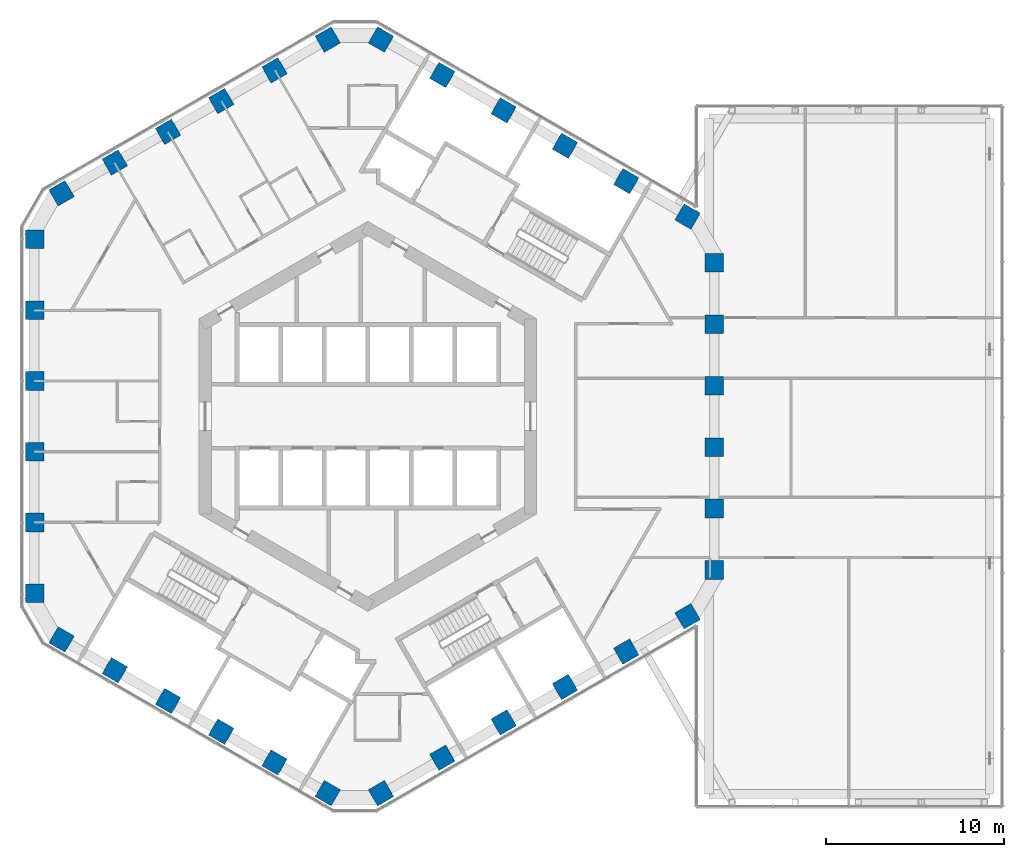
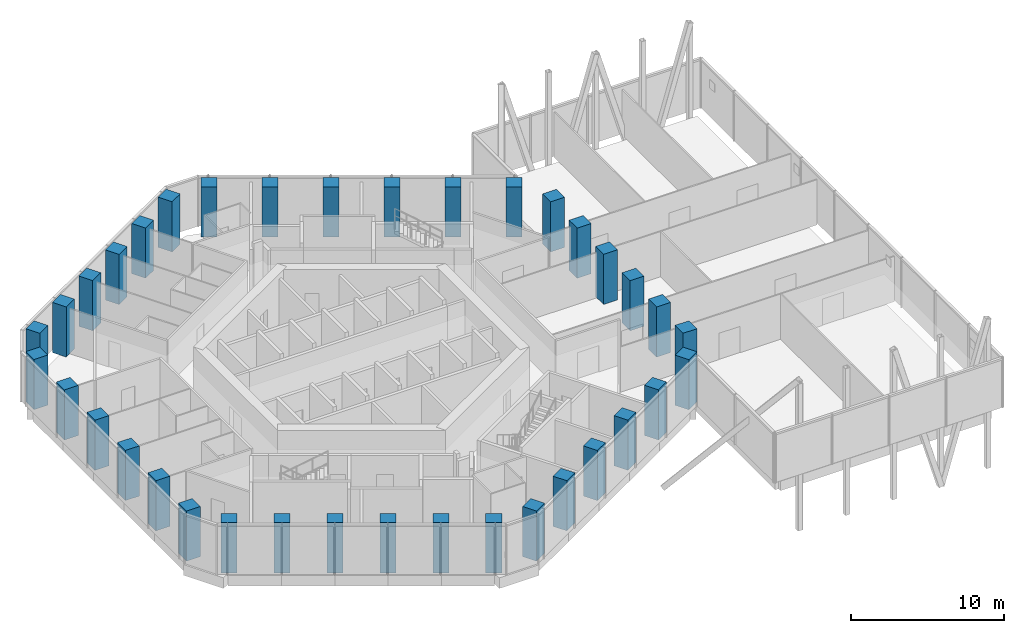
# One storey, part 1 of 24: 36 columns.
"""IFC4 building model written with IfcOpenShell, lengths in metres."""

from ifc_helpers import new_model, si_unit, direction, frame, origin, origin_2d, place, context, subcontext, project, spatial, rectangle, extrude, material, material_profile, profile_set, type_object, element, save


model = new_model("IFC4")

# Units and contexts
model_context = context("Model", 3, precision=1e-05, world=origin(), true_north=direction((0.0, 1.0)))
body_context = subcontext(model_context, "Body", "Model", "MODEL_VIEW")
ifc_project = project(units=[si_unit("LENGTHUNIT", "METRE"), si_unit("AREAUNIT", "SQUARE_METRE"), si_unit("VOLUMEUNIT", "CUBIC_METRE"), si_unit("PLANEANGLEUNIT", "RADIAN"), si_unit("MASSUNIT", "GRAM", prefix="KILO")], contexts=[model_context])

# Site, building, storey
site_placement = place(None, origin())
site = spatial("IfcSite", under=ifc_project, at=site_placement, CompositionType="ELEMENT")
building_placement = place(site_placement, origin())
building = spatial("IfcBuilding", under=site, at=building_placement, Name="Ayvan Gate Tower", CompositionType="ELEMENT")
storey_placement = place(building_placement, frame((0.0, 0.0, 124.5)))
storey = spatial("IfcBuildingStorey", under=building, at=storey_placement, Name="L33", CompositionType="ELEMENT", Elevation=124.5)

# Columns
ifc_material = material(Name="Concrete C60/75", Category="concrete")
ifc_material_profile = material_profile(ifc_material, rectangle(XDim=1.050048828125, YDim=1.050048828125, at=origin_2d()), Name="RC 1050x1050")
ifc_profile_set = profile_set([ifc_material_profile], Name="Concrete C60/75")
column_type = type_object("IfcColumnType", Name="Tube column RC 1050x1050 C60/75", PredefinedType="COLUMN", material=ifc_profile_set)
for number, where, z_axis, x_axis, name in (
    (1, (19.485595703125, -8.643310546875, 0.0), (0.0, 0.0, 1.0), (1.0, 0.0, 0.0), "C-T0-0-L33"),
    (2, (19.485595703125, -5.18603515625, 0.0), (0.0, 0.0, 1.0), (1.0, 0.0, 0.0), "C-T0-1-L33"),
    (3, (19.485595703125, -1.728759765625, 0.0), (0.0, 0.0, 1.0), (1.0, 0.0, 0.0), "C-T0-2-L33"),
    (4, (19.485595703125, 1.728759765625, 0.0), (0.0, 0.0, 1.0), (1.0, 0.0, 0.0), "C-T0-3-L33"),
    (5, (19.485595703125, 5.18603515625, 0.0), (0.0, 0.0, 1.0), (1.0, 0.0, 0.0), "C-T0-4-L33"),
    (6, (19.485595703125, 8.643310546875, 0.0), (0.0, 0.0, 1.0), (1.0, 0.0, 0.0), "C-T0-5-L33"),
    (7, (17.985595703125, 11.2412109375, 0.0), (0.0, 0.0, 1.0), (0.5, 0.866025403784, 0.0), "C-T1-0-L33"),
    (8, (14.536865234375, 13.232421875, 0.0), (0.0, 0.0, 1.0), (0.5, 0.866025403784, 0.0), "C-T1-1-L33"),
    (9, (11.08837890625, 15.223388671875, 0.0), (0.0, 0.0, 1.0), (0.5, 0.866025403784, 0.0), "C-T1-2-L33"),
    (10, (7.6396484375, 17.21435546875, 0.0), (0.0, 0.0, 1.0), (0.5, 0.866025403784, 0.0), "C-T1-3-L33"),
    (11, (4.191162109375, 19.20556640625, 0.0), (0.0, 0.0, 1.0), (0.5, 0.866025403784, 0.0), "C-T1-4-L33"),
    (12, (0.742431640625, 21.196533203125, 0.0), (0.0, 0.0, 1.0), (0.5, 0.866025403784, 0.0), "C-T1-5-L33"),
    (13, (-2.257568359375, 21.196533203125, 0.0), (0.0, 0.0, 1.0), (-0.5, 0.866025403784, 0.0), "C-T2-0-L33"),
    (14, (-5.251708984375, 19.468017578125, 0.0), (0.0, 0.0, 1.0), (-0.5, 0.866025403784, 0.0), "C-T2-1-L33"),
    (15, (-8.245849609375, 17.7392578125, 0.0), (0.0, 0.0, 1.0), (-0.5, 0.866025403784, 0.0), "C-T2-2-L33"),
    (16, (-11.23974609375, 16.0107421875, 0.0), (0.0, 0.0, 1.0), (-0.5, 0.866025403784, 0.0), "C-T2-3-L33"),
    (17, (-14.23388671875, 14.281982421875, 0.0), (0.0, 0.0, 1.0), (-0.5, 0.866025403784, 0.0), "C-T2-4-L33"),
    (18, (-17.22802734375, 12.553466796875, 0.0), (0.0, 0.0, 1.0), (-0.5, 0.866025403784, 0.0), "C-T2-5-L33"),
    (19, (-18.72802734375, 9.955322265625, 0.0), (0.0, 0.0, 1.0), (-1.0, 0.0, 0.0), "C-T3-0-L33"),
    (20, (-18.72802734375, 5.97314453125, 0.0), (0.0, 0.0, 1.0), (-1.0, 0.0, 0.0), "C-T3-1-L33"),
    (21, (-18.72802734375, 1.990966796875, 0.0), (0.0, 0.0, 1.0), (-1.0, 0.0, 0.0), "C-T3-2-L33"),
    (22, (-18.72802734375, -1.990966796875, 0.0), (0.0, 0.0, 1.0), (-1.0, 0.0, 0.0), "C-T3-3-L33"),
    (23, (-18.72802734375, -5.97314453125, 0.0), (0.0, 0.0, 1.0), (-1.0, 0.0, 0.0), "C-T3-4-L33"),
    (24, (-18.72802734375, -9.955322265625, 0.0), (0.0, 0.0, 1.0), (-1.0, 0.0, 0.0), "C-T3-5-L33"),
    (25, (-17.22802734375, -12.553466796875, 0.0), (0.0, 0.0, 1.0), (-0.5, -0.866025403784, 0.0), "C-T4-0-L33"),
    (26, (-14.23388671875, -14.281982421875, 0.0), (0.0, 0.0, 1.0), (-0.5, -0.866025403784, 0.0), "C-T4-1-L33"),
    (27, (-11.23974609375, -16.0107421875, 0.0), (0.0, 0.0, 1.0), (-0.5, -0.866025403784, 0.0), "C-T4-2-L33"),
    (28, (-8.245849609375, -17.7392578125, 0.0), (0.0, 0.0, 1.0), (-0.5, -0.866025403784, 0.0), "C-T4-3-L33"),
    (29, (-5.251708984375, -19.468017578125, 0.0), (0.0, 0.0, 1.0), (-0.5, -0.866025403784, 0.0), "C-T4-4-L33"),
    (30, (-2.257568359375, -21.196533203125, 0.0), (0.0, 0.0, 1.0), (-0.5, -0.866025403784, 0.0), "C-T4-5-L33"),
    (31, (0.742431640625, -21.196533203125, 0.0), (0.0, 0.0, 1.0), (0.5, -0.866025403784, 0.0), "C-T5-0-L33"),
    (32, (4.191162109375, -19.20556640625, 0.0), (0.0, 0.0, 1.0), (0.5, -0.866025403784, 0.0), "C-T5-1-L33"),
    (33, (7.6396484375, -17.21435546875, 0.0), (0.0, 0.0, 1.0), (0.5, -0.866025403784, 0.0), "C-T5-2-L33"),
    (34, (11.08837890625, -15.223388671875, 0.0), (0.0, 0.0, 1.0), (0.5, -0.866025403784, 0.0), "C-T5-3-L33"),
    (35, (14.536865234375, -13.232421875, 0.0), (0.0, 0.0, 1.0), (0.5, -0.866025403784, 0.0), "C-T5-4-L33"),
    (36, (17.985595703125, -11.2412109375, 0.0), (0.0, 0.0, 1.0), (0.5, -0.866025403784, 0.0), "C-T5-5-L33"),
):
    element("IfcColumn", number, at=place(storey_placement, frame(where, z_axis=z_axis, x_axis=x_axis)), inside=storey, type_object=column_type, Name=name, PredefinedType="COLUMN", context=body_context, shape_type="SweptSolid", body=[
        extrude(rectangle(XDim=1.050048828125, YDim=1.050048828125, at=origin_2d()), origin(), (0.0, 0.0, 1.0), 4.0),
    ])

save(model, "model.ifc")
